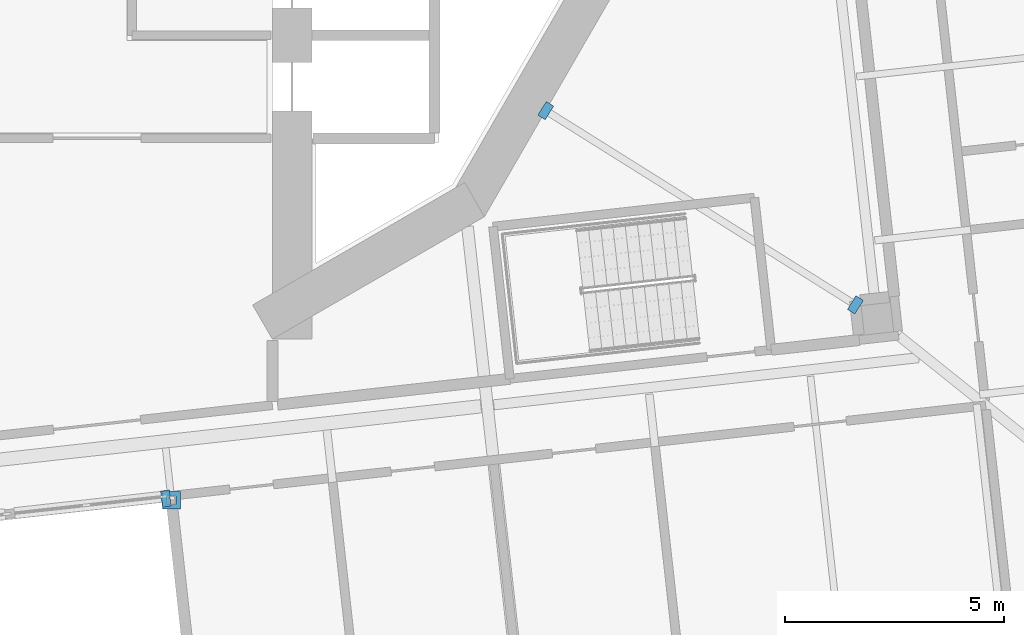
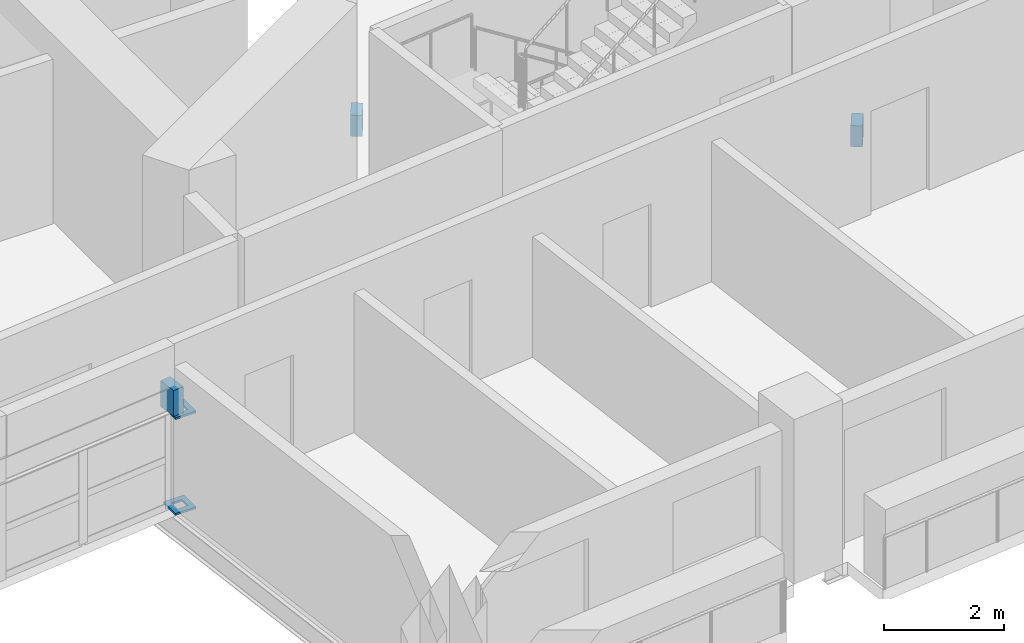
# One storey, part 14 of 21: 5 discrete accessories.
"""IFC4 building model written with IfcOpenShell, lengths in metres."""

from ifc_helpers import new_model, si_unit, direction, frame, origin, place, context, subcontext, project, spatial, polyline, outline, extrude, material, layer, layer_set, type_object, element, save


model = new_model("IFC4")

# Units and contexts
model_context = context("Model", 3, precision=1e-05, world=origin(), true_north=direction((0.0, 1.0)))
body_context = subcontext(model_context, "Body", "Model", "MODEL_VIEW")
ifc_project = project(units=[si_unit("LENGTHUNIT", "METRE"), si_unit("AREAUNIT", "SQUARE_METRE"), si_unit("VOLUMEUNIT", "CUBIC_METRE"), si_unit("PLANEANGLEUNIT", "RADIAN"), si_unit("MASSUNIT", "GRAM", prefix="KILO")], contexts=[model_context])

# Site, building, storey
site_placement = place(None, origin())
site = spatial("IfcSite", under=ifc_project, at=site_placement, CompositionType="ELEMENT")
building_placement = place(site_placement, origin())
building = spatial("IfcBuilding", under=site, at=building_placement, Name="Cantera Rosa Tower", CompositionType="ELEMENT")
storey_placement = place(building_placement, frame((0.0, 0.0, 80.5)))
storey = spatial("IfcBuildingStorey", under=building, at=storey_placement, Name="L17", CompositionType="ELEMENT", Elevation=80.5)

# Discrete accessories
ifc_material = material(Name="Steel ASTM A992 (Fy 345 MPa)", Category="steel")
ifc_layer = layer(ifc_material, 0.0400390625)
ifc_layer_set = layer_set([ifc_layer], Name="STEEL BEARING PLATE 40")
discrete_accessory_type = type_object("IfcDiscreteAccessoryType", Name="STEEL BEARING PLATE 40", PredefinedType="ANCHORPLATE", material=ifc_layer_set)
discrete_accessory_1_placement = place(storey_placement, frame((0.0, 0.0, -0.72802734375)))
element("IfcDiscreteAccessory", 1, at=discrete_accessory_1_placement, inside=storey, type_object=discrete_accessory_type, Name="BEARING PLATE PG-Z1-01 end 1 L17", PredefinedType="ANCHORPLATE", context=body_context, shape_type="SweptSolid", body=[
    extrude(outline(polyline([(17.12060546875, -10.952392578125), (17.2900390625, -11.05859375), (17.484619140625, -10.74853515625), (17.315185546875, -10.642333984375), (17.12060546875, -10.952392578125)])), origin(), (0.0, 0.0, 1.0), 0.427978515625),
])
discrete_accessory_2_placement = place(storey_placement, frame((0.0, 0.0, -0.72802734375)))
element("IfcDiscreteAccessory", 2, at=discrete_accessory_2_placement, inside=storey, type_object=discrete_accessory_type, Name="BEARING PLATE PG-Z1-01 end 2 L17", PredefinedType="ANCHORPLATE", context=body_context, shape_type="SweptSolid", body=[
    extrude(outline(polyline([(10.41796875, -6.317138671875), (10.248291015625, -6.210693359375), (10.053955078125, -6.52099609375), (10.223388671875, -6.627197265625), (10.41796875, -6.317138671875)])), origin(), (0.0, 0.0, 1.0), 0.427978515625),
])
for number, where, name in (
    (3, (0.0, 0.0, 0.0), "POST PLATE L17-2F"),
    (4, (0.0, 0.0, 1.947998046875), "POST PLATE L17-2T"),
):
    element("IfcDiscreteAccessory", number, at=place(storey_placement, frame(where)), inside=storey, type_object=discrete_accessory_type, Name=name, PredefinedType="ANCHORPLATE", context=body_context, shape_type="SweptSolid", body=[
        extrude(outline(polyline([(1.498779296875, -15.506103515625), (1.898681640625, -15.506103515625), (1.898681640625, -15.10595703125), (1.498779296875, -15.10595703125), (1.498779296875, -15.506103515625)]), holes=[polyline([(1.598876953125, -15.406005859375), (1.798828125, -15.406005859375), (1.798828125, -15.2060546875), (1.598876953125, -15.2060546875), (1.598876953125, -15.406005859375)])]), origin(), (0.0, 0.0, 1.0), 0.0400390625),
    ])
discrete_accessory_3_placement = place(storey_placement, frame((0.0, 0.0, 1.988037109375)))
element("IfcDiscreteAccessory", 5, at=discrete_accessory_3_placement, inside=storey, type_object=discrete_accessory_type, Name="LINTEL PLATE L17-2", PredefinedType="ANCHORPLATE", context=body_context, shape_type="SweptSolid", body=[
    extrude(outline(polyline([(1.489990234375, -15.462890625), (1.688720703125, -15.44091796875), (1.648193359375, -15.0771484375), (1.449462890625, -15.099365234375), (1.489990234375, -15.462890625)])), origin(), (0.0, 0.0, 1.0), 0.528076171875),
])

save(model, "model.ifc")
